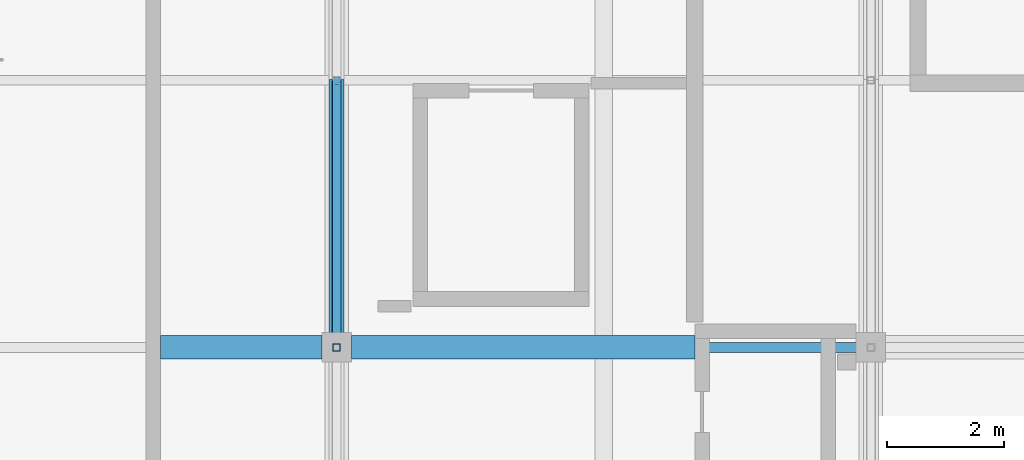
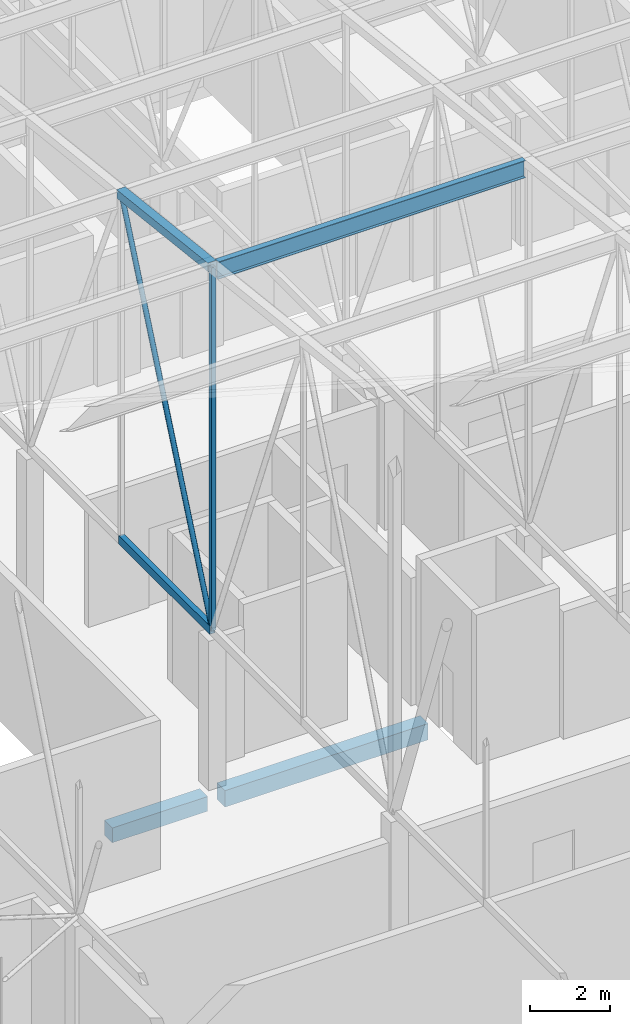
# One storey, part 191 of 500: 5 members, 2 beams.
"""IFC4 building model written with IfcOpenShell, lengths in metres."""

from ifc_helpers import new_model, si_unit, direction, frame, origin, origin_2d, place, context, subcontext, project, spatial, rectangle, hollow_rectangle, hollow_circle, i_section, extrude, material, material_profile, profile_set, type_object, element, save


model = new_model("IFC4")

# Units and contexts
model_context = context("Model", 3, precision=1e-05, world=origin(), true_north=direction((0.0, 1.0)))
body_context = subcontext(model_context, "Body", "Model", "MODEL_VIEW")
ifc_project = project(units=[si_unit("LENGTHUNIT", "METRE"), si_unit("AREAUNIT", "SQUARE_METRE"), si_unit("VOLUMEUNIT", "CUBIC_METRE"), si_unit("PLANEANGLEUNIT", "RADIAN"), si_unit("MASSUNIT", "GRAM", prefix="KILO")], contexts=[model_context])

# Site, building, storey
site_placement = place(None, origin())
site = spatial("IfcSite", under=ifc_project, at=site_placement, CompositionType="ELEMENT")
building_placement = place(site_placement, origin())
building = spatial("IfcBuilding", under=site, at=building_placement, Name="Shirokan Park Arena", CompositionType="ELEMENT")
storey_placement = place(building_placement, frame((0.0, 0.0, 29.1201171875)))
storey = spatial("IfcBuildingStorey", under=building, at=storey_placement, Name="L06", CompositionType="ELEMENT", Elevation=29.1201171875)

# Members
ifc_material_1 = material(Name="Steel ASTM A500 Grade C", Category="steel")
ifc_material_profile_1 = material_profile(ifc_material_1, hollow_rectangle(XDim=0.152099609375, YDim=0.25390625, WallThickness=0.009521484375, at=origin_2d()), Name="HSS254X152.4X9.5")
ifc_profile_set_1 = profile_set([ifc_material_profile_1], Name="Steel ASTM A500 Grade C")
member_type_1 = type_object("IfcMemberType", Name="Bottom chord HSS254X152.4X9.5", PredefinedType="CHORD", material=ifc_profile_set_1)
member_1_placement = place(storey_placement, frame((18.199951171875, 81.89990234375, 4.677001953125), z_axis=(0.0, 1.0, 0.0), x_axis=(-1.0, 0.0, 0.0)))
element("IfcMember", 1, at=member_1_placement, inside=storey, type_object=member_type_1, Name="Truss T03 bottom chord 21", PredefinedType="CHORD", context=body_context, shape_type="SweptSolid", body=[
    extrude(hollow_rectangle(XDim=0.152099609375, YDim=0.25390625, WallThickness=0.009521484375, at=origin_2d()), origin(), (0.0, 0.0, 1.0), 4.550048828125),
])
ifc_material_2 = material(Name="Steel ASTM A992", Category="steel")
ifc_material_profile_2 = material_profile(ifc_material_2, i_section(OverallWidth=0.166015625, OverallDepth=0.528076171875, WebThickness=0.009765625, FlangeThickness=0.013671875, at=origin_2d()), Name="W530X74")
ifc_profile_set_2 = profile_set([ifc_material_profile_2], Name="Steel ASTM A992")
member_type_2 = type_object("IfcMemberType", Name="Purlin W530X74", PredefinedType="PURLIN", material=ifc_profile_set_2)
member_2_placement = place(storey_placement, frame((18.326904296875, 81.89990234375, 15.60595703125), z_axis=(1.0, 0.0, 0.0), x_axis=(0.0, 1.0, 0.0)))
element("IfcMember", 2, at=member_2_placement, inside=storey, type_object=member_type_2, Name="Purlin 21 bay 3", PredefinedType="PURLIN", context=body_context, shape_type="SweptSolid", body=[
    extrude(i_section(OverallWidth=0.166015625, OverallDepth=0.528076171875, WebThickness=0.009765625, FlangeThickness=0.013671875, at=origin_2d()), origin(), (0.0, 0.0, 1.0), 8.84619140625),
])

# Beams
ifc_material_3 = material(Name="Concrete C35", Category="concrete")
ifc_material_profile_3 = material_profile(ifc_material_3, rectangle(XDim=0.39990234375, YDim=0.5, at=origin_2d()), Name="400x500")
ifc_profile_set_3 = profile_set([ifc_material_profile_3], Name="Concrete C35")
beam_type_1 = type_object("IfcBeamType", Name="RC girder 400x500", PredefinedType="BEAM", material=ifc_profile_set_3)
beam_1_placement = place(storey_placement, frame((18.4501953125, 81.89990234375, -0.4501953125), z_axis=(1.0, 0.0, 0.0), x_axis=(0.0, 1.0, 0.0)))
element("IfcBeam", 3, at=beam_1_placement, inside=storey, type_object=beam_type_1, Name="Girder 3K-4K L06", PredefinedType="BEAM", context=body_context, shape_type="SweptSolid", body=[
    extrude(rectangle(XDim=0.39990234375, YDim=0.5, at=origin_2d()), origin(), (0.0, 0.0, 1.0), 5.849853515625),
])
ifc_material_profile_4 = material_profile(ifc_material_3, rectangle(XDim=0.39990234375, YDim=0.449951171875, at=origin_2d()), Name="400x450")
ifc_profile_set_4 = profile_set([ifc_material_profile_4], Name="Concrete C35")
beam_type_2 = type_object("IfcBeamType", Name="RC trimmer 400x450", PredefinedType="BEAM", material=ifc_profile_set_4)
beam_2_placement = place(storey_placement, frame((15.199951171875, 81.89990234375, -0.425048828125), z_axis=(1.0, 0.0, 0.0), x_axis=(0.0, 1.0, 0.0)))
element("IfcBeam", 4, at=beam_2_placement, inside=storey, type_object=beam_type_2, Name="Girder 2K-3K L06", PredefinedType="BEAM", context=body_context, shape_type="SweptSolid", body=[
    extrude(rectangle(XDim=0.39990234375, YDim=0.449951171875, at=origin_2d()), origin(), (0.0, 0.0, 1.0), 2.75),
])

# Members
ifc_material_profile_5 = material_profile(ifc_material_1, hollow_rectangle(XDim=0.25390625, YDim=0.25390625, WallThickness=0.009521484375, at=origin_2d()), Name="HSS254X254X9.5")
ifc_profile_set_5 = profile_set([ifc_material_profile_5], Name="Steel ASTM A500 Grade C")
member_type_3 = type_object("IfcMemberType", Name="Top chord HSS254X254X9.5", PredefinedType="CHORD", material=ifc_profile_set_5)
member_3_placement = place(storey_placement, frame((18.199951171875, 81.89990234375, 15.742919921875), z_axis=(0.0, 0.993532328996, -0.113549598152), x_axis=(-1.0, 0.0, 0.0)))
element("IfcMember", 5, at=member_3_placement, inside=storey, type_object=member_type_3, Name="Truss T03 top chord 21", PredefinedType="CHORD", context=body_context, shape_type="SweptSolid", body=[
    extrude(hollow_rectangle(XDim=0.25390625, YDim=0.25390625, WallThickness=0.009521484375, at=origin_2d()), origin(), (0.0, 0.0, 1.0), 4.57958984375),
])
ifc_material_profile_6 = material_profile(ifc_material_1, hollow_circle(Radius=0.070556640625, WallThickness=0.006591796875, at=origin_2d()), Name="HSS141.3X6.6")
ifc_profile_set_6 = profile_set([ifc_material_profile_6], Name="Steel ASTM A500 Grade C")
member_type_4 = type_object("IfcMemberType", Name="Truss diagonal HSS141.3X6.6", PredefinedType="BRACE", material=ifc_profile_set_6)
member_4_placement = place(storey_placement, frame((18.199951171875, 81.89990234375, 4.677001953125), z_axis=(0.0, 0.396152605513, 0.918184683572), x_axis=(-1.0, 0.0, 0.0)))
element("IfcMember", 6, at=member_4_placement, inside=storey, type_object=member_type_4, Name="Truss T03 diagonal 21", PredefinedType="BRACE", context=body_context, shape_type="SweptSolid", body=[
    extrude(hollow_circle(Radius=0.070556640625, WallThickness=0.006591796875, at=origin_2d()), origin(), (0.0, 0.0, 1.0), 11.485595703125),
])
ifc_material_profile_7 = material_profile(ifc_material_1, hollow_rectangle(XDim=0.126953125, YDim=0.126953125, WallThickness=0.008056640625, at=origin_2d()), Name="HSS127X127X7.9")
ifc_profile_set_7 = profile_set([ifc_material_profile_7], Name="Steel ASTM A500 Grade C")
member_type_5 = type_object("IfcMemberType", Name="Truss post HSS127X127X7.9", PredefinedType="POST", material=ifc_profile_set_7)
member_5_placement = place(storey_placement, frame((18.199951171875, 81.89990234375, 4.677001953125), z_axis=(0.0, 0.0, 1.0), x_axis=(1.0, 0.0, 0.0)))
element("IfcMember", 7, at=member_5_placement, inside=storey, type_object=member_type_5, Name="Truss T03 post 21", PredefinedType="POST", context=body_context, shape_type="SweptSolid", body=[
    extrude(hollow_rectangle(XDim=0.126953125, YDim=0.126953125, WallThickness=0.008056640625, at=origin_2d()), origin(), (0.0, 0.0, 1.0), 11.06591796875),
])

save(model, "model.ifc")
